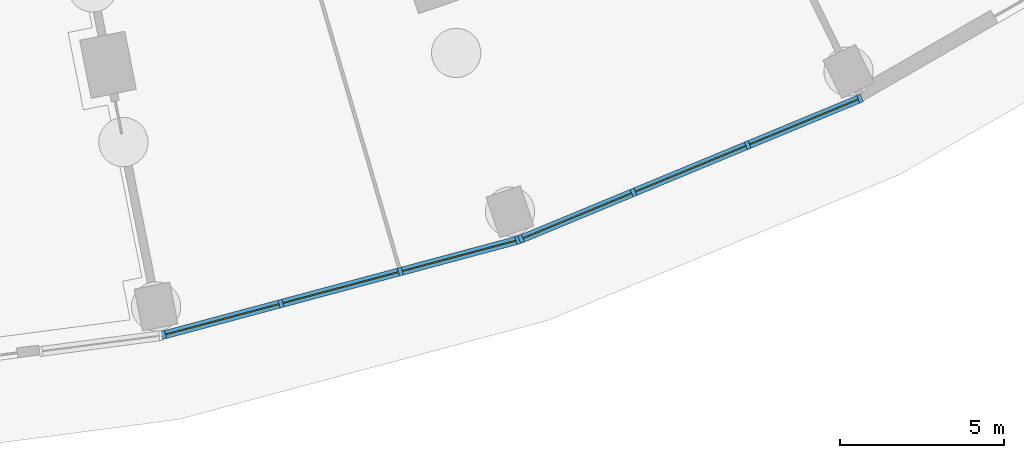
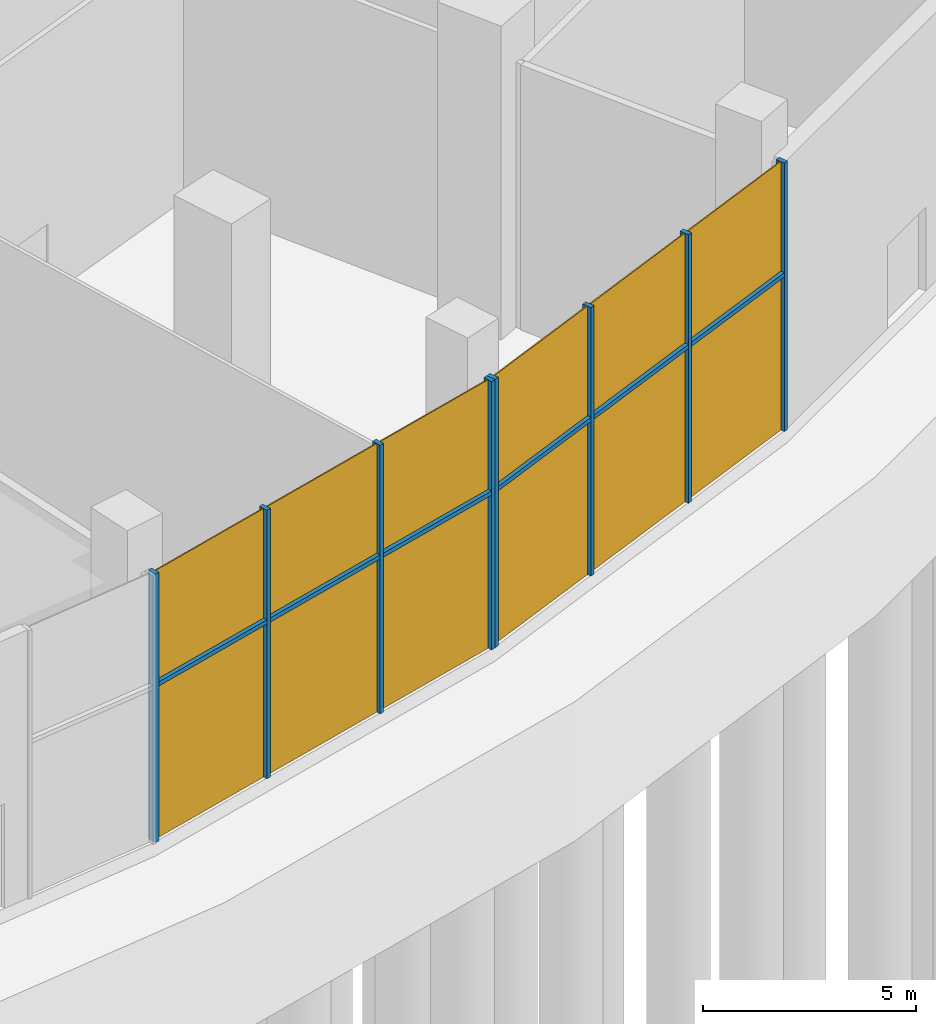
# One storey, part 15 of 23: 14 members, 2 curtain walls.
"""IFC4 building model written with IfcOpenShell, lengths in metres."""

from ifc_helpers import new_model, si_unit, direction, frame, origin, origin_2d, place, context, subcontext, project, spatial, rectangle, extrude, material, material_profile, profile_set, type_object, element, aggregate, save


model = new_model("IFC4")

# Units and contexts
model_context = context("Model", 3, precision=1e-05, world=origin(), true_north=direction((0.0, 1.0)))
body_context = subcontext(model_context, "Body", "Model", "MODEL_VIEW")
ifc_project = project(units=[si_unit("LENGTHUNIT", "METRE"), si_unit("AREAUNIT", "SQUARE_METRE"), si_unit("VOLUMEUNIT", "CUBIC_METRE"), si_unit("PLANEANGLEUNIT", "RADIAN"), si_unit("MASSUNIT", "GRAM", prefix="KILO")], contexts=[model_context])

# Member
ifc_material = material(Name="Aluminium 6063-T6 anodised", Category="aluminium")
ifc_material_profile_1 = material_profile(ifc_material, rectangle(XDim=0.25, YDim=0.1201171875, at=origin_2d()))
ifc_profile_set_1 = profile_set([ifc_material_profile_1], Name="Aluminium 6063-T6 anodised")
member_type_1 = type_object("IfcMemberType", Name="Mullion 120 x 250 aluminium, foyer", PredefinedType="MULLION", material=ifc_profile_set_1)
site_placement = place(None, origin())
building_placement = place(site_placement, origin())
storey_placement = place(building_placement, origin())
member_1_placement = place(storey_placement, frame((16.858642578125, -84.480712890625, 0.0), z_axis=(0.0, 0.0, 1.0), x_axis=(-0.258819045103, 0.965925826289, 0.0)))
member_1 = element("IfcMember", 1, at=member_1_placement, type_object=member_type_1, Name="e-cw6-L00-out02/M00", PredefinedType="MULLION", context=body_context, shape_type="SweptSolid", body=[
    extrude(rectangle(XDim=0.25, YDim=0.1201171875, at=origin_2d()), origin(), (0.0, 0.0, 1.0), 7.699951171875),
])

member_2_placement = place(storey_placement, frame((20.43310546875, -83.522705078125, 0.0), z_axis=(0.0, 0.0, 1.0), x_axis=(-0.258819045103, 0.965925826289, 0.0)))
member_2 = element("IfcMember", 2, at=member_2_placement, type_object=member_type_1, Name="e-cw6-L00-out02/M01", PredefinedType="MULLION", context=body_context, shape_type="SweptSolid", body=[
    extrude(rectangle(XDim=0.25, YDim=0.1201171875, at=origin_2d()), origin(), (0.0, 0.0, 1.0), 7.699951171875),
])

member_3_placement = place(storey_placement, frame((24.065673828125, -82.549560546875, 0.0), z_axis=(0.0, 0.0, 1.0), x_axis=(-0.258819045103, 0.965925826289, 0.0)))
member_3 = element("IfcMember", 3, at=member_3_placement, type_object=member_type_1, Name="e-cw6-L00-out02/M02", PredefinedType="MULLION", context=body_context, shape_type="SweptSolid", body=[
    extrude(rectangle(XDim=0.25, YDim=0.1201171875, at=origin_2d()), origin(), (0.0, 0.0, 1.0), 7.699951171875),
])

member_4_placement = place(storey_placement, frame((27.640380859375, -81.591552734375, 0.0), z_axis=(0.0, 0.0, 1.0), x_axis=(-0.258819045103, 0.965925826289, 0.0)))
member_4 = element("IfcMember", 4, at=member_4_placement, type_object=member_type_1, Name="e-cw6-L00-out02/M03", PredefinedType="MULLION", context=body_context, shape_type="SweptSolid", body=[
    extrude(rectangle(XDim=0.25, YDim=0.1201171875, at=origin_2d()), origin(), (0.0, 0.0, 1.0), 7.699951171875),
])

member_5_placement = place(storey_placement, frame((27.7412109375, -81.557373046875, 0.0), z_axis=(0.0, 0.0, 1.0), x_axis=(-0.382683432365, 0.923879532511, 0.0)))
member_5 = element("IfcMember", 5, at=member_5_placement, type_object=member_type_1, Name="e-cw6-L00-out03/M00", PredefinedType="MULLION", context=body_context, shape_type="SweptSolid", body=[
    extrude(rectangle(XDim=0.25, YDim=0.1201171875, at=origin_2d()), origin(), (0.0, 0.0, 1.0), 7.699951171875),
])

member_6_placement = place(storey_placement, frame((31.160400390625, -80.14111328125, 0.0), z_axis=(0.0, 0.0, 1.0), x_axis=(-0.382683432365, 0.923879532511, 0.0)))
member_6 = element("IfcMember", 6, at=member_6_placement, type_object=member_type_1, Name="e-cw6-L00-out03/M01", PredefinedType="MULLION", context=body_context, shape_type="SweptSolid", body=[
    extrude(rectangle(XDim=0.25, YDim=0.1201171875, at=origin_2d()), origin(), (0.0, 0.0, 1.0), 7.699951171875),
])

member_7_placement = place(storey_placement, frame((34.634765625, -78.7021484375, 0.0), z_axis=(0.0, 0.0, 1.0), x_axis=(-0.382683432365, 0.923879532511, 0.0)))
member_7 = element("IfcMember", 7, at=member_7_placement, type_object=member_type_1, Name="e-cw6-L00-out03/M02", PredefinedType="MULLION", context=body_context, shape_type="SweptSolid", body=[
    extrude(rectangle(XDim=0.25, YDim=0.1201171875, at=origin_2d()), origin(), (0.0, 0.0, 1.0), 7.699951171875),
])

member_8_placement = place(storey_placement, frame((38.0537109375, -77.285888671875, 0.0), z_axis=(0.0, 0.0, 1.0), x_axis=(-0.382683432365, 0.923879532511, 0.0)))
member_8 = element("IfcMember", 8, at=member_8_placement, type_object=member_type_1, Name="e-cw6-L00-out03/M03", PredefinedType="MULLION", context=body_context, shape_type="SweptSolid", body=[
    extrude(rectangle(XDim=0.25, YDim=0.1201171875, at=origin_2d()), origin(), (0.0, 0.0, 1.0), 7.699951171875),
])

ifc_material_profile_2 = material_profile(ifc_material, rectangle(XDim=0.25, YDim=0.1201171875, at=origin_2d()))
ifc_profile_set_2 = profile_set([ifc_material_profile_2], Name="Aluminium 6063-T6 anodised")
member_type_2 = type_object("IfcMemberType", Name="Transom 120 x 250 aluminium, foyer", PredefinedType="USERDEFINED", material=ifc_profile_set_2)
member_9_placement = place(storey_placement, frame((16.91650390625, -84.465087890625, 4.5), z_axis=(0.965926443485, 0.258816741686, 0.0), x_axis=(-0.258816741686, 0.965926443485, 0.0)))
member_9 = element("IfcMember", 9, at=member_9_placement, type_object=member_type_2, Name="e-cw6-L00-out02/T00", ObjectType="TRANSOM", PredefinedType="USERDEFINED", context=body_context, shape_type="SweptSolid", body=[
    extrude(rectangle(XDim=0.25, YDim=0.1201171875, at=origin_2d()), origin(), (0.0, 0.0, 1.0), 3.580810546875),
])

member_10_placement = place(storey_placement, frame((20.4912109375, -83.50732421875, 4.5), z_axis=(0.965918116886, 0.258847815272, 0.0), x_axis=(-0.258847815272, 0.965918116886, 0.0)))
member_10 = element("IfcMember", 10, at=member_10_placement, type_object=member_type_2, Name="e-cw6-L00-out02/T01", ObjectType="TRANSOM", PredefinedType="USERDEFINED", context=body_context, shape_type="SweptSolid", body=[
    extrude(rectangle(XDim=0.25, YDim=0.1201171875, at=origin_2d()), origin(), (0.0, 0.0, 1.0), 3.640625),
])

member_11_placement = place(storey_placement, frame((24.123779296875, -82.533935546875, 4.5), z_axis=(0.965921875824, 0.258833787987, 0.0), x_axis=(-0.258833787987, 0.965921875824, 0.0)))
member_11 = element("IfcMember", 11, at=member_11_placement, type_object=member_type_2, Name="e-cw6-L00-out02/T02", ObjectType="TRANSOM", PredefinedType="USERDEFINED", context=body_context, shape_type="SweptSolid", body=[
    extrude(rectangle(XDim=0.25, YDim=0.1201171875, at=origin_2d()), origin(), (0.0, 0.0, 1.0), 3.58056640625),
])

member_12_placement = place(storey_placement, frame((27.796630859375, -81.534423828125, 4.5), z_axis=(0.923879724955, 0.382682967764, 0.0), x_axis=(-0.382682967764, 0.923879724955, 0.0)))
member_12 = element("IfcMember", 12, at=member_12_placement, type_object=member_type_2, Name="e-cw6-L00-out03/T00", ObjectType="TRANSOM", PredefinedType="USERDEFINED", context=body_context, shape_type="SweptSolid", body=[
    extrude(rectangle(XDim=0.25, YDim=0.1201171875, at=origin_2d()), origin(), (0.0, 0.0, 1.0), 3.580810546875),
])

member_13_placement = place(storey_placement, frame((31.2158203125, -80.1181640625, 4.5), z_axis=(0.923894237626, 0.382647929149, 0.0), x_axis=(-0.382647929149, 0.923894237626, 0.0)))
member_13 = element("IfcMember", 13, at=member_13_placement, type_object=member_type_2, Name="e-cw6-L00-out03/T01", ObjectType="TRANSOM", PredefinedType="USERDEFINED", context=body_context, shape_type="SweptSolid", body=[
    extrude(rectangle(XDim=0.25, YDim=0.1201171875, at=origin_2d()), origin(), (0.0, 0.0, 1.0), 3.640625),
])

member_14_placement = place(storey_placement, frame((34.690185546875, -78.678955078125, 4.5), z_axis=(0.923893845705, 0.382648875431, 0.0), x_axis=(-0.382648875431, 0.923893845705, 0.0)))
member_14 = element("IfcMember", 14, at=member_14_placement, type_object=member_type_2, Name="e-cw6-L00-out03/T02", ObjectType="TRANSOM", PredefinedType="USERDEFINED", context=body_context, shape_type="SweptSolid", body=[
    extrude(rectangle(XDim=0.25, YDim=0.1201171875, at=origin_2d()), origin(), (0.0, 0.0, 1.0), 3.58056640625),
])

# Site, building, storey
site = spatial("IfcSite", under=ifc_project, at=site_placement, CompositionType="ELEMENT")
building = spatial("IfcBuilding", under=site, at=building_placement, Name="Qamariyya Broadcast Tower", CompositionType="ELEMENT")
storey = spatial("IfcBuildingStorey", under=building, at=storey_placement, Name="L00", CompositionType="ELEMENT", Elevation=0.0)

# Curtain wall
curtain_wall_type = type_object("IfcCurtainWallType", Name="Studio foyer curtain wall, deep aluminium mullions", PredefinedType="NOTDEFINED", material=ifc_material)
curtain_wall_1_placement = place(storey_placement, origin())
curtain_wall_1 = element("IfcCurtainWall", 15, at=curtain_wall_1_placement, inside=storey, type_object=curtain_wall_type, Name="e-cw6-L00-out02", PredefinedType="NOTDEFINED", context=body_context, shape_type="SweptSolid", body=[
    extrude(rectangle(XDim=3.580810546875, YDim=0.031982421875, at=origin_2d()), frame((18.645751953125, -84.001708984375, 0.0), x_axis=(0.96592825044, 0.258809997878, 0.0)), (0.0, 0.0, 1.0), 4.43994140625),
    extrude(rectangle(XDim=3.580810546875, YDim=0.031982421875, at=origin_2d()), frame((18.645751953125, -84.001708984375, 4.56005859375), x_axis=(0.96592825044, 0.258809997878, 0.0)), (0.0, 0.0, 1.0), 3.139892578125),
    extrude(rectangle(XDim=3.640625, YDim=0.031982421875, at=origin_2d()), frame((22.24951171875, -83.0361328125, 0.0), x_axis=(0.96592825044, 0.258809997878, 0.0)), (0.0, 0.0, 1.0), 4.43994140625),
    extrude(rectangle(XDim=3.640625, YDim=0.031982421875, at=origin_2d()), frame((22.24951171875, -83.0361328125, 4.56005859375), x_axis=(0.96592825044, 0.258809997878, 0.0)), (0.0, 0.0, 1.0), 3.139892578125),
    extrude(rectangle(XDim=3.580810546875, YDim=0.031982421875, at=origin_2d()), frame((25.85302734375, -82.070556640625, 0.0), x_axis=(0.96592825044, 0.258809997878, 0.0)), (0.0, 0.0, 1.0), 4.43994140625),
    extrude(rectangle(XDim=3.580810546875, YDim=0.031982421875, at=origin_2d()), frame((25.85302734375, -82.070556640625, 4.56005859375), x_axis=(0.96592825044, 0.258809997878, 0.0)), (0.0, 0.0, 1.0), 3.139892578125),
])

aggregate(curtain_wall_1, [member_1, member_2, member_3, member_4, member_9, member_10, member_11])

curtain_wall_2_placement = place(storey_placement, origin())
curtain_wall_2 = element("IfcCurtainWall", 16, at=curtain_wall_2_placement, inside=storey, type_object=curtain_wall_type, Name="e-cw6-L00-out03", PredefinedType="NOTDEFINED", context=body_context, shape_type="SweptSolid", body=[
    extrude(rectangle(XDim=3.580810546875, YDim=0.031982421875, at=origin_2d()), frame((29.45068359375, -80.849365234375, 0.0), x_axis=(0.923882851624, 0.382675419219, 0.0)), (0.0, 0.0, 1.0), 4.43994140625),
    extrude(rectangle(XDim=3.580810546875, YDim=0.031982421875, at=origin_2d()), frame((29.45068359375, -80.849365234375, 4.56005859375), x_axis=(0.923882851624, 0.382675419219, 0.0)), (0.0, 0.0, 1.0), 3.139892578125),
    extrude(rectangle(XDim=3.640625, YDim=0.031982421875, at=origin_2d()), frame((32.8974609375, -79.421630859375, 0.0), x_axis=(0.923882851624, 0.382675419219, 0.0)), (0.0, 0.0, 1.0), 4.43994140625),
    extrude(rectangle(XDim=3.640625, YDim=0.031982421875, at=origin_2d()), frame((32.8974609375, -79.421630859375, 4.56005859375), x_axis=(0.923882851624, 0.382675419219, 0.0)), (0.0, 0.0, 1.0), 3.139892578125),
    extrude(rectangle(XDim=3.580810546875, YDim=0.031982421875, at=origin_2d()), frame((36.34423828125, -77.993896484375, 0.0), x_axis=(0.923882851624, 0.382675419219, 0.0)), (0.0, 0.0, 1.0), 4.43994140625),
    extrude(rectangle(XDim=3.580810546875, YDim=0.031982421875, at=origin_2d()), frame((36.34423828125, -77.993896484375, 4.56005859375), x_axis=(0.923882851624, 0.382675419219, 0.0)), (0.0, 0.0, 1.0), 3.139892578125),
])

aggregate(curtain_wall_2, [member_5, member_6, member_7, member_8, member_12, member_13, member_14])

save(model, "model.ifc")
